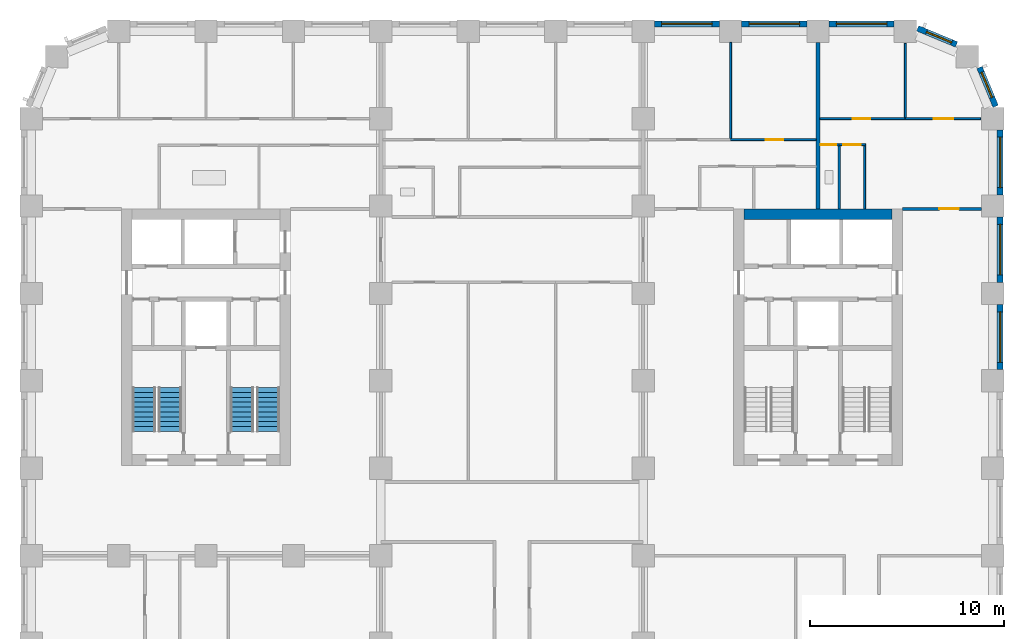
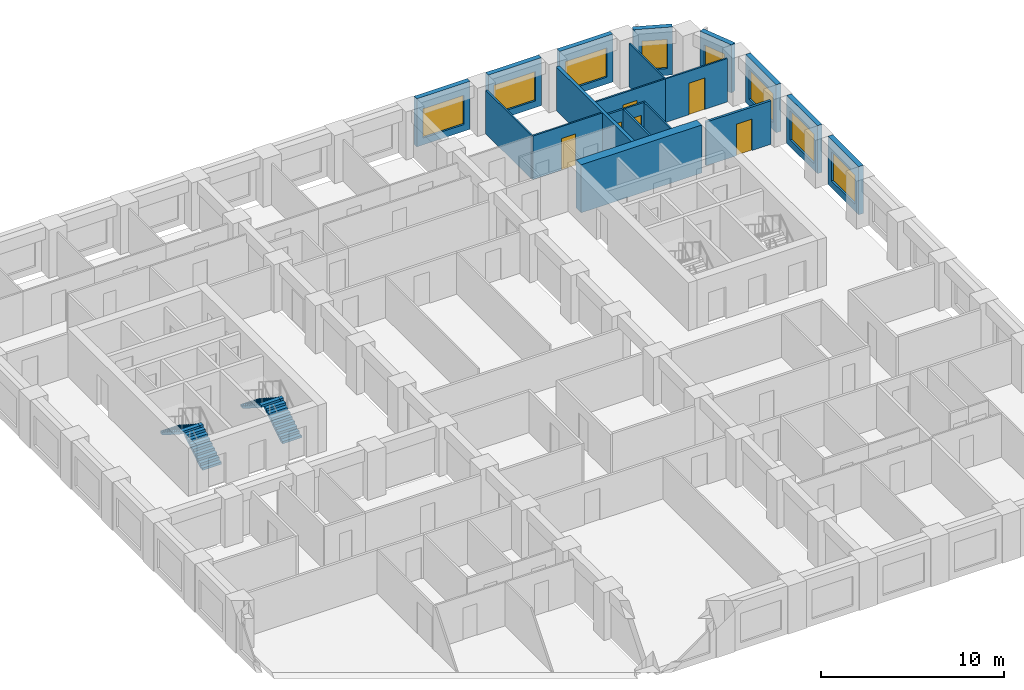
# One storey, part 9 of 13: 20 walls, 8 windows, 6 doors, 4 stair flights, 14 openings, 2 elements without a shape of their own.
"""IFC4 building model written with IfcOpenShell, lengths in metres."""

from ifc_helpers import new_model, si_unit, direction, frame, frame_2d, origin, place, context, subcontext, project, spatial, polyline, rectangle, outline, extrude, material, layer, layer_set, type_object, element, fill, aggregate, save


model = new_model("IFC4")

# Units and contexts
model_context = context("Model", 3, precision=1e-05, world=origin(), true_north=direction((0.0, 1.0)))
body_context = subcontext(model_context, "Body", "Model", "MODEL_VIEW")
ifc_project = project(units=[si_unit("LENGTHUNIT", "METRE"), si_unit("AREAUNIT", "SQUARE_METRE"), si_unit("VOLUMEUNIT", "CUBIC_METRE"), si_unit("PLANEANGLEUNIT", "RADIAN"), si_unit("MASSUNIT", "GRAM", prefix="KILO")], contexts=[model_context])

# Site, building, storey
site_placement = place(None, origin())
site = spatial("IfcSite", under=ifc_project, at=site_placement, CompositionType="ELEMENT")
building_placement = place(site_placement, origin())
building = spatial("IfcBuilding", under=site, at=building_placement, Name="Girih Gate Residences", CompositionType="ELEMENT")
storey_placement = place(building_placement, frame((0.0, 0.0, 89.60009765625)))
storey = spatial("IfcBuildingStorey", under=building, at=storey_placement, Name="L24", CompositionType="ELEMENT", Elevation=89.60009765625)

# Wall, opening, door
ifc_material_1 = material(Name="Gypsum board on steel studs", Category="steel")
ifc_layer_1 = layer(ifc_material_1, 0.14990234375)
ifc_layer_set_1 = layer_set([ifc_layer_1], Name="Compartment wall 150 mm")
wall_type_1 = type_object("IfcWallType", Name="Compartment wall 150 mm", PredefinedType="PARTITIONING", material=ifc_layer_set_1)
wall_1_placement = place(storey_placement, frame((44.85009765625, 40.35009765625, 0.0), z_axis=(0.0, 0.0, 1.0), x_axis=(1.0, 0.0, 0.0)))
wall_1 = element("IfcWall", 1, at=wall_1_placement, inside=storey, type_object=wall_type_1, Name="L24 partition", PredefinedType="PARTITIONING", context=body_context, shape_type="SweptSolid", body=[
    extrude(rectangle(XDim=4.074951171875, YDim=0.14990234375, at=frame_2d((2.03759765625, 0.0))), origin(), (0.0, 0.0, 1.0), 2.89990234375),
])
opening_1_placement = place(wall_1_placement, frame((1.89990234375, 0.0, 0.0)))
opening_1 = element("IfcOpeningElement", 2, at=opening_1_placement, cuts=wall_1, Name="Opening A24-029", PredefinedType="OPENING", context=body_context, shape_type="SweptSolid", body=[
    extrude(rectangle(XDim=1.0, YDim=2.10009765625, at=frame_2d((0.5, 1.050048828125))), frame((0.0, 0.0849609375, 0.0), z_axis=(0.0, -1.0, 0.0), x_axis=(1.0, 0.0, 0.0)), (0.0, 0.0, 1.0), 0.169921875),
])
ifc_material_2 = material(Name="Timber, fire-rated core", Category="wood")
door_type_1 = type_object("IfcDoorType", Name="Flat entrance door 1000x2100 FD30S", OperationType="NOTDEFINED", PredefinedType="DOOR", material=ifc_material_2)
door_1_placement = place(opening_1_placement, origin())
door_1 = element("IfcDoor", 3, at=door_1_placement, inside=storey, type_object=door_type_1, Name="Door A24-029", OperationType="SINGLE_SWING_RIGHT", OverallHeight=2.10009765625, OverallWidth=1.0, PredefinedType="DOOR", context=body_context, shape_type="SweptSolid", body=[
    extrude(rectangle(XDim=1.0, YDim=2.10009765625, at=frame_2d((0.5, 1.050048828125))), frame((0.0, 0.02490234375, 0.0), z_axis=(0.0, -1.0, 0.0), x_axis=(1.0, 0.0, 0.0)), (0.0, 0.0, 1.0), 0.050048828125),
])
fill(opening_1, door_1)

# Wall
ifc_material_3 = material(Name="Concrete C60/75", Category="concrete")
ifc_layer_2 = layer(ifc_material_3, 0.550048828125)
ifc_layer_set_2 = layer_set([ifc_layer_2], Name="Core wall RC 550 Concrete C60/75")
wall_type_2 = type_object("IfcWallType", Name="Core wall RC 550 Concrete C60/75", PredefinedType="SOLIDWALL", material=ifc_layer_set_2)
wall_2_placement = place(storey_placement, frame((36.699951171875, 40.074951171875, 0.0), z_axis=(0.0, 0.0, 1.0), x_axis=(1.0, 0.0, 0.0)))
element("IfcWall", 4, at=wall_2_placement, inside=storey, type_object=wall_type_2, Name="Core wall E-N L24", PredefinedType="SOLIDWALL", context=body_context, shape_type="SweptSolid", body=[
    extrude(rectangle(XDim=7.60009765625, YDim=0.550048828125, at=frame_2d((3.800048828125, 0.0))), origin(), (0.0, 0.0, 1.0), 3.199951171875),
])

# Wall, opening, door
ifc_layer_3 = layer(ifc_material_1, 0.10009765625)
ifc_layer_set_3 = layer_set([ifc_layer_3], Name="Partition 100 mm")
wall_type_3 = type_object("IfcWallType", Name="Partition 100 mm", PredefinedType="PARTITIONING", material=ifc_layer_set_3)
wall_3_placement = place(storey_placement, frame((40.60009765625, 45.0, 0.0), z_axis=(0.0, 0.0, 1.0), x_axis=(1.0, 0.0, 0.0)))
wall_3 = element("IfcWall", 5, at=wall_3_placement, inside=storey, type_object=wall_type_3, Name="L24 partition", PredefinedType="PARTITIONING", context=body_context, shape_type="SweptSolid", body=[
    extrude(rectangle(XDim=4.39990234375, YDim=0.10009765625, at=frame_2d((2.199951171875, 0.0))), origin(), (0.0, 0.0, 1.0), 2.89990234375),
])
opening_2_placement = place(wall_3_placement, frame((1.699951171875, 0.0, 0.0)))
opening_2 = element("IfcOpeningElement", 6, at=opening_2_placement, cuts=wall_3, Name="Opening A24-026", PredefinedType="OPENING", context=body_context, shape_type="SweptSolid", body=[
    extrude(rectangle(XDim=0.89990234375, YDim=2.10009765625, at=frame_2d((0.449951171875, 1.050048828125))), frame((0.0, 0.06005859375, 0.0), z_axis=(0.0, -1.0, 0.0), x_axis=(1.0, 0.0, 0.0)), (0.0, 0.0, 1.0), 0.1201171875),
])
ifc_material_4 = material(Name="Timber", Category="wood")
door_type_2 = type_object("IfcDoorType", Name="Bedroom door 900x2100", OperationType="NOTDEFINED", PredefinedType="DOOR", material=ifc_material_4)
door_2_placement = place(opening_2_placement, origin())
door_2 = element("IfcDoor", 7, at=door_2_placement, inside=storey, type_object=door_type_2, Name="Door A24-026", OperationType="SINGLE_SWING_LEFT", OverallHeight=2.10009765625, OverallWidth=0.89990234375, PredefinedType="DOOR", context=body_context, shape_type="SweptSolid", body=[
    extrude(rectangle(XDim=0.89990234375, YDim=2.10009765625, at=frame_2d((0.449951171875, 1.050048828125))), frame((0.0, 0.02490234375, 0.0), z_axis=(0.0, -1.0, 0.0), x_axis=(1.0, 0.0, 0.0)), (0.0, 0.0, 1.0), 0.050048828125),
])
fill(opening_2, door_2)

# Walls
wall_4_placement = place(storey_placement, frame((45.0, 45.050048828125, 0.0), z_axis=(0.0, 0.0, 1.0), x_axis=(0.0, 1.0, 0.0)))
element("IfcWall", 8, at=wall_4_placement, inside=storey, type_object=wall_type_3, Name="L24 partition", PredefinedType="PARTITIONING", context=body_context, shape_type="SweptSolid", body=[
    extrude(rectangle(XDim=3.82763671875, YDim=0.10009765625, at=frame_2d((1.913818359375, 0.0))), origin(), (0.0, 0.0, 1.0), 2.89990234375),
])
wall_5_placement = place(storey_placement, frame((42.89990234375, 40.35009765625, 0.0), z_axis=(0.0, 0.0, 1.0), x_axis=(0.0, 1.0, 0.0)))
element("IfcWall", 9, at=wall_5_placement, inside=storey, type_object=wall_type_3, Name="L24 partition", PredefinedType="PARTITIONING", context=body_context, shape_type="SweptSolid", body=[
    extrude(rectangle(XDim=3.260009765625, YDim=0.10009765625, at=frame_2d((1.6298828125, 0.0))), origin(), (0.0, 0.0, 1.0), 2.89990234375),
])

# Wall, opening, door
wall_6_placement = place(storey_placement, frame((42.949951171875, 43.659912109375, 0.0), z_axis=(0.0, 0.0, 1.0), x_axis=(-1.0, 0.0, 0.0)))
wall_6 = element("IfcWall", 10, at=wall_6_placement, inside=storey, type_object=wall_type_3, Name="L24 partition", PredefinedType="PARTITIONING", context=body_context, shape_type="SweptSolid", body=[
    extrude(rectangle(XDim=1.359130859375, YDim=0.10009765625, at=frame_2d((0.6796875, 0.0))), origin(), (0.0, 0.0, 1.0), 2.89990234375),
])
opening_3_placement = place(wall_6_placement, frame((0.25439453125, 0.0, 0.0)))
opening_3 = element("IfcOpeningElement", 11, at=opening_3_placement, cuts=wall_6, Name="Opening A24-027", PredefinedType="OPENING", context=body_context, shape_type="SweptSolid", body=[
    extrude(rectangle(XDim=0.89990234375, YDim=2.10009765625, at=frame_2d((0.449951171875, 1.050048828125))), frame((0.0, 0.06005859375, 0.0), z_axis=(0.0, -1.0, 0.0), x_axis=(1.0, 0.0, 0.0)), (0.0, 0.0, 1.0), 0.1201171875),
])
door_type_3 = type_object("IfcDoorType", Name="Kitchen door 900x2100", OperationType="NOTDEFINED", PredefinedType="DOOR", material=ifc_material_4)
door_3_placement = place(opening_3_placement, origin())
door_3 = element("IfcDoor", 12, at=door_3_placement, inside=storey, type_object=door_type_3, Name="Door A24-027", OperationType="SINGLE_SWING_RIGHT", OverallHeight=2.10009765625, OverallWidth=0.89990234375, PredefinedType="DOOR", context=body_context, shape_type="SweptSolid", body=[
    extrude(rectangle(XDim=0.89990234375, YDim=2.10009765625, at=frame_2d((0.449951171875, 1.050048828125))), frame((0.0, 0.02490234375, 0.0), z_axis=(0.0, -1.0, 0.0), x_axis=(1.0, 0.0, 0.0)), (0.0, 0.0, 1.0), 0.050048828125),
])
fill(opening_3, door_3)

wall_7_placement = place(storey_placement, frame((45.0, 45.0, 0.0), z_axis=(0.0, 0.0, 1.0), x_axis=(1.0, 0.0, 0.0)))
wall_7 = element("IfcWall", 13, at=wall_7_placement, inside=storey, type_object=wall_type_3, Name="L24 partition", PredefinedType="PARTITIONING", context=body_context, shape_type="SweptSolid", body=[
    extrude(rectangle(XDim=3.877685546875, YDim=0.10009765625, at=frame_2d((1.93896484375, 0.0))), origin(), (0.0, 0.0, 1.0), 2.89990234375),
])
opening_4_placement = place(wall_7_placement, frame((1.46240234375, 0.0, 0.0)))
opening_4 = element("IfcOpeningElement", 14, at=opening_4_placement, cuts=wall_7, Name="Opening A24-028", PredefinedType="OPENING", context=body_context, shape_type="SweptSolid", body=[
    extrude(rectangle(XDim=1.0, YDim=2.10009765625, at=frame_2d((0.5, 1.050048828125))), frame((0.0, 0.06005859375, 0.0), z_axis=(0.0, -1.0, 0.0), x_axis=(1.0, 0.0, 0.0)), (0.0, 0.0, 1.0), 0.1201171875),
])
door_type_4 = type_object("IfcDoorType", Name="Living room door 1000x2100", OperationType="NOTDEFINED", PredefinedType="DOOR", material=ifc_material_4)
door_4_placement = place(opening_4_placement, origin())
door_4 = element("IfcDoor", 15, at=door_4_placement, inside=storey, type_object=door_type_4, Name="Door A24-028", OperationType="SINGLE_SWING_RIGHT", OverallHeight=2.10009765625, OverallWidth=1.0, PredefinedType="DOOR", context=body_context, shape_type="SweptSolid", body=[
    extrude(rectangle(XDim=1.0, YDim=2.10009765625, at=frame_2d((0.5, 1.050048828125))), frame((0.0, 0.02490234375, 0.0), z_axis=(0.0, -1.0, 0.0), x_axis=(1.0, 0.0, 0.0)), (0.0, 0.0, 1.0), 0.050048828125),
])
fill(opening_4, door_4)

wall_8_placement = place(storey_placement, frame((36.0, 43.9150390625, 0.0), z_axis=(0.0, 0.0, 1.0), x_axis=(1.0, 0.0, 0.0)))
wall_8 = element("IfcWall", 16, at=wall_8_placement, inside=storey, type_object=wall_type_3, Name="L24 partition", PredefinedType="PARTITIONING", context=body_context, shape_type="SweptSolid", body=[
    extrude(rectangle(XDim=4.39990234375, YDim=0.10009765625, at=frame_2d((2.199951171875, 0.0))), origin(), (0.0, 0.0, 1.0), 2.89990234375),
])
opening_5_placement = place(wall_8_placement, frame((1.800048828125, 0.0, 0.0)))
opening_5 = element("IfcOpeningElement", 17, at=opening_5_placement, cuts=wall_8, Name="Opening A24-031", PredefinedType="OPENING", context=body_context, shape_type="SweptSolid", body=[
    extrude(rectangle(XDim=0.89990234375, YDim=2.10009765625, at=frame_2d((0.449951171875, 1.050048828125))), frame((0.0, 0.06005859375, 0.0), z_axis=(0.0, -1.0, 0.0), x_axis=(1.0, 0.0, 0.0)), (0.0, 0.0, 1.0), 0.1201171875),
])
door_5_placement = place(opening_5_placement, origin())
door_5 = element("IfcDoor", 18, at=door_5_placement, inside=storey, type_object=door_type_2, Name="Door A24-031", OperationType="SINGLE_SWING_RIGHT", OverallHeight=2.10009765625, OverallWidth=0.89990234375, PredefinedType="DOOR", context=body_context, shape_type="SweptSolid", body=[
    extrude(rectangle(XDim=0.89990234375, YDim=2.10009765625, at=frame_2d((0.449951171875, 1.050048828125))), frame((0.0, 0.02490234375, 0.0), z_axis=(0.0, -1.0, 0.0), x_axis=(1.0, 0.0, 0.0)), (0.0, 0.0, 1.0), 0.050048828125),
])
fill(opening_5, door_5)

# Walls
wall_9_placement = place(storey_placement, frame((36.0, 43.965087890625, 0.0), z_axis=(0.0, 0.0, 1.0), x_axis=(0.0, 1.0, 0.0)))
element("IfcWall", 19, at=wall_9_placement, inside=storey, type_object=wall_type_3, Name="L24 partition", PredefinedType="PARTITIONING", context=body_context, shape_type="SweptSolid", body=[
    extrude(rectangle(XDim=4.9599609375, YDim=0.10009765625, at=frame_2d((2.47998046875, 0.0))), origin(), (0.0, 0.0, 1.0), 2.89990234375),
])
ifc_layer_4 = layer(ifc_material_1, 0.199951171875)
ifc_layer_set_4 = layer_set([ifc_layer_4], Name="Party wall 200 mm")
wall_type_4 = type_object("IfcWallType", Name="Party wall 200 mm", PredefinedType="PARTITIONING", material=ifc_layer_set_4)
wall_10_placement = place(storey_placement, frame((40.5, 40.35009765625, 0.0), z_axis=(0.0, 0.0, 1.0), x_axis=(0.0, 1.0, 0.0)))
element("IfcWall", 20, at=wall_10_placement, inside=storey, type_object=wall_type_4, Name="L24 partition", PredefinedType="PARTITIONING", context=body_context, shape_type="SweptSolid", body=[
    extrude(rectangle(XDim=8.574951171875, YDim=0.199951171875, at=frame_2d((4.28759765625, 0.0))), origin(), (0.0, 0.0, 1.0), 2.89990234375),
])

# Wall, opening, window
ifc_material_5 = material(Name="Precast concrete C50/60", Category="concrete")
ifc_layer_5 = layer(ifc_material_5, 0.080078125, Name="Outer leaf")
ifc_material_6 = material(Name="Rigid PIR insulation")
ifc_layer_6 = layer(ifc_material_6, 0.14990234375, Name="Insulation")
ifc_material_7 = material(Name="Precast concrete C40/50", Category="concrete")
ifc_layer_7 = layer(ifc_material_7, 0.070068359375, Name="Inner leaf")
ifc_layer_set_5 = layer_set([ifc_layer_5, ifc_layer_6, ifc_layer_7], Name="Precast concrete C50/60 external wall 300")
wall_type_5 = type_object("IfcWallType", Name="Precast concrete C50/60 external wall 300", PredefinedType="SOLIDWALL", material=ifc_layer_set_5)
wall_11_placement = place(storey_placement, frame((49.875, 35.425048828125, 0.0), z_axis=(0.0, 0.0, 1.0), x_axis=(0.0, -1.0, 0.0)))
wall_11 = element("IfcWall", 21, at=wall_11_placement, inside=storey, type_object=wall_type_5, Name="External wall E0495_0045.6", PredefinedType="SOLIDWALL", context=body_context, shape_type="SweptSolid", body=[
    extrude(rectangle(XDim=3.35009765625, YDim=0.300048828125, at=frame_2d((1.675048828125, 0.0))), origin(), (0.0, 0.0, 1.0), 3.199951171875),
])
opening_6_placement = place(wall_11_placement, frame((0.375, 0.0, 0.449951171875)))
opening_6 = element("IfcOpeningElement", 22, at=opening_6_placement, cuts=wall_11, Name="Opening W-1A", PredefinedType="OPENING", context=body_context, shape_type="SweptSolid", body=[
    extrude(rectangle(XDim=2.60009765625, YDim=1.949951171875, at=frame_2d((1.300048828125, 0.97509765625))), frame((0.0, 0.159912109375, 0.0), z_axis=(0.0, -1.0, 0.0), x_axis=(1.0, 0.0, 0.0)), (0.0, 0.0, 1.0), 0.320068359375),
])
ifc_material_8 = material(Name="Double glazing in aluminium frame", Category="aluminium")
window_type_1 = type_object("IfcWindowType", Name="Window W-1A 2600x1950", PartitioningType="SINGLE_PANEL", PredefinedType="WINDOW", material=ifc_material_8)
window_1_placement = place(opening_6_placement, origin())
window_1 = element("IfcWindow", 23, at=window_1_placement, inside=storey, type_object=window_type_1, Name="Window W-1A E0495_0045.6", OverallHeight=1.949951171875, OverallWidth=2.60009765625, PartitioningType="SINGLE_PANEL", PredefinedType="WINDOW", context=body_context, shape_type="SweptSolid", body=[
    extrude(rectangle(XDim=2.60009765625, YDim=1.949951171875, at=frame_2d((1.300048828125, 0.97509765625))), frame((0.0, 0.030029296875, 0.0), z_axis=(0.0, -1.0, 0.0), x_axis=(1.0, 0.0, 0.0)), (0.0, 0.0, 1.0), 0.06005859375),
])
fill(opening_6, window_1)

wall_12_placement = place(storey_placement, frame((49.875, 39.925048828125, 0.0), z_axis=(0.0, 0.0, 1.0), x_axis=(0.0, -1.0, 0.0)))
wall_12 = element("IfcWall", 24, at=wall_12_placement, inside=storey, type_object=wall_type_5, Name="External wall E0495_0045.7", PredefinedType="SOLIDWALL", context=body_context, shape_type="SweptSolid", body=[
    extrude(rectangle(XDim=3.35009765625, YDim=0.300048828125, at=frame_2d((1.675048828125, 0.0))), origin(), (0.0, 0.0, 1.0), 3.199951171875),
])
opening_7_placement = place(wall_12_placement, frame((0.375, 0.0, 0.449951171875)))
opening_7 = element("IfcOpeningElement", 25, at=opening_7_placement, cuts=wall_12, Name="Opening W-1A", PredefinedType="OPENING", context=body_context, shape_type="SweptSolid", body=[
    extrude(rectangle(XDim=2.60009765625, YDim=1.949951171875, at=frame_2d((1.300048828125, 0.97509765625))), frame((0.0, 0.159912109375, 0.0), z_axis=(0.0, -1.0, 0.0), x_axis=(1.0, 0.0, 0.0)), (0.0, 0.0, 1.0), 0.320068359375),
])
window_2_placement = place(opening_7_placement, origin())
window_2 = element("IfcWindow", 26, at=window_2_placement, inside=storey, type_object=window_type_1, Name="Window W-1A E0495_0045.7", OverallHeight=1.949951171875, OverallWidth=2.60009765625, PartitioningType="SINGLE_PANEL", PredefinedType="WINDOW", context=body_context, shape_type="SweptSolid", body=[
    extrude(rectangle(XDim=2.60009765625, YDim=1.949951171875, at=frame_2d((1.300048828125, 0.97509765625))), frame((0.0, 0.030029296875, 0.0), z_axis=(0.0, -1.0, 0.0), x_axis=(1.0, 0.0, 0.0)), (0.0, 0.0, 1.0), 0.06005859375),
])
fill(opening_7, window_2)

wall_13_placement = place(storey_placement, frame((49.875, 44.425048828125, 0.0), z_axis=(0.0, 0.0, 1.0), x_axis=(0.0, -1.0, 0.0)))
wall_13 = element("IfcWall", 27, at=wall_13_placement, inside=storey, type_object=wall_type_5, Name="External wall E0495_0045.8", PredefinedType="SOLIDWALL", context=body_context, shape_type="SweptSolid", body=[
    extrude(rectangle(XDim=3.35009765625, YDim=0.300048828125, at=frame_2d((1.675048828125, 0.0))), origin(), (0.0, 0.0, 1.0), 3.199951171875),
])
opening_8_placement = place(wall_13_placement, frame((0.375, 0.0, 0.449951171875)))
opening_8 = element("IfcOpeningElement", 28, at=opening_8_placement, cuts=wall_13, Name="Opening W-1A", PredefinedType="OPENING", context=body_context, shape_type="SweptSolid", body=[
    extrude(rectangle(XDim=2.60009765625, YDim=1.949951171875, at=frame_2d((1.300048828125, 0.97509765625))), frame((0.0, 0.159912109375, 0.0), z_axis=(0.0, -1.0, 0.0), x_axis=(1.0, 0.0, 0.0)), (0.0, 0.0, 1.0), 0.320068359375),
])
window_3_placement = place(opening_8_placement, origin())
window_3 = element("IfcWindow", 29, at=window_3_placement, inside=storey, type_object=window_type_1, Name="Window W-1A E0495_0045.8", OverallHeight=1.949951171875, OverallWidth=2.60009765625, PartitioningType="SINGLE_PANEL", PredefinedType="WINDOW", context=body_context, shape_type="SweptSolid", body=[
    extrude(rectangle(XDim=2.60009765625, YDim=1.949951171875, at=frame_2d((1.300048828125, 0.97509765625))), frame((0.0, 0.030029296875, 0.0), z_axis=(0.0, -1.0, 0.0), x_axis=(1.0, 0.0, 0.0)), (0.0, 0.0, 1.0), 0.06005859375),
])
fill(opening_8, window_3)

wall_14_placement = place(storey_placement, frame((48.81591796875, 47.63134765625, 0.0), z_axis=(0.0, 0.0, 1.0), x_axis=(0.382723818695, -0.923862802911, 0.0)))
wall_14 = element("IfcWall", 30, at=wall_14_placement, inside=storey, type_object=wall_type_5, Name="External wall NE0495_0450.0", PredefinedType="SOLIDWALL", context=body_context, shape_type="SweptSolid", body=[
    extrude(rectangle(XDim=2.163818359375, YDim=0.300048828125, at=frame_2d((1.08203125, 0.0))), origin(), (0.0, 0.0, 1.0), 3.199951171875),
])
opening_9_placement = place(wall_14_placement, frame((0.270751953125, 0.0, 0.449951171875)))
opening_9 = element("IfcOpeningElement", 31, at=opening_9_placement, cuts=wall_14, Name="Opening W-2D", PredefinedType="OPENING", context=body_context, shape_type="SweptSolid", body=[
    extrude(rectangle(XDim=1.39990234375, YDim=1.949951171875, at=frame_2d((0.699951171875, 0.97509765625))), frame((0.0, 0.159912109375, 0.0), z_axis=(0.0, -1.0, 0.0), x_axis=(1.0, 0.0, 0.0)), (0.0, 0.0, 1.0), 0.320068359375),
])
window_type_2 = type_object("IfcWindowType", Name="Window W-2D 1400x1950", PartitioningType="SINGLE_PANEL", PredefinedType="WINDOW", material=ifc_material_8)
window_4_placement = place(opening_9_placement, origin())
window_4 = element("IfcWindow", 32, at=window_4_placement, inside=storey, type_object=window_type_2, Name="Window W-2D NE0495_0450.0", OverallHeight=1.949951171875, OverallWidth=1.39990234375, PartitioningType="SINGLE_PANEL", PredefinedType="WINDOW", context=body_context, shape_type="SweptSolid", body=[
    extrude(rectangle(XDim=1.39990234375, YDim=1.949951171875, at=frame_2d((0.699951171875, 0.97509765625))), frame((0.0, 0.030029296875, 0.0), z_axis=(0.0, -1.0, 0.0), x_axis=(1.0, 0.0, 0.0)), (0.0, 0.0, 1.0), 0.06005859375),
])
fill(opening_9, window_4)

wall_15_placement = place(storey_placement, frame((45.63232421875, 49.64404296875, 0.0), z_axis=(0.0, 0.0, 1.0), x_axis=(0.923862802911, -0.382723818695, 0.0)))
wall_15 = element("IfcWall", 33, at=wall_15_placement, inside=storey, type_object=wall_type_5, Name="External wall NE0482_0482.0", PredefinedType="SOLIDWALL", context=body_context, shape_type="SweptSolid", body=[
    extrude(rectangle(XDim=2.163818359375, YDim=0.300048828125, at=frame_2d((1.08203125, 0.0))), origin(), (0.0, 0.0, 1.0), 3.199951171875),
])
opening_10_placement = place(wall_15_placement, frame((0.492919921875, 0.0, 0.449951171875)))
opening_10 = element("IfcOpeningElement", 34, at=opening_10_placement, cuts=wall_15, Name="Opening W-2D", PredefinedType="OPENING", context=body_context, shape_type="SweptSolid", body=[
    extrude(rectangle(XDim=1.39990234375, YDim=1.949951171875, at=frame_2d((0.699951171875, 0.97509765625))), frame((0.0, 0.159912109375, 0.0), z_axis=(0.0, -1.0, 0.0), x_axis=(1.0, 0.0, 0.0)), (0.0, 0.0, 1.0), 0.320068359375),
])
window_5_placement = place(opening_10_placement, origin())
window_5 = element("IfcWindow", 35, at=window_5_placement, inside=storey, type_object=window_type_2, Name="Window W-2D NE0482_0482.0", OverallHeight=1.949951171875, OverallWidth=1.39990234375, PartitioningType="SINGLE_PANEL", PredefinedType="WINDOW", context=body_context, shape_type="SweptSolid", body=[
    extrude(rectangle(XDim=1.39990234375, YDim=1.949951171875, at=frame_2d((0.699951171875, 0.97509765625))), frame((0.0, 0.030029296875, 0.0), z_axis=(0.0, -1.0, 0.0), x_axis=(1.0, 0.0, 0.0)), (0.0, 0.0, 1.0), 0.06005859375),
])
fill(opening_10, window_5)

wall_16_placement = place(storey_placement, frame((41.074951171875, 49.875, 0.0), z_axis=(0.0, 0.0, 1.0), x_axis=(1.0, 0.0, 0.0)))
wall_16 = element("IfcWall", 36, at=wall_16_placement, inside=storey, type_object=wall_type_5, Name="External wall N0450_0495.0", PredefinedType="SOLIDWALL", context=body_context, shape_type="SweptSolid", body=[
    extrude(rectangle(XDim=3.35009765625, YDim=0.300048828125, at=frame_2d((1.675048828125, 0.0))), origin(), (0.0, 0.0, 1.0), 3.199951171875),
])
opening_11_placement = place(wall_16_placement, frame((0.375, 0.0, 0.449951171875)))
opening_11 = element("IfcOpeningElement", 37, at=opening_11_placement, cuts=wall_16, Name="Opening W-1A", PredefinedType="OPENING", context=body_context, shape_type="SweptSolid", body=[
    extrude(rectangle(XDim=2.60009765625, YDim=1.949951171875, at=frame_2d((1.300048828125, 0.97509765625))), frame((0.0, 0.159912109375, 0.0), z_axis=(0.0, -1.0, 0.0), x_axis=(1.0, 0.0, 0.0)), (0.0, 0.0, 1.0), 0.320068359375),
])
window_6_placement = place(opening_11_placement, origin())
window_6 = element("IfcWindow", 38, at=window_6_placement, inside=storey, type_object=window_type_1, Name="Window W-1A N0450_0495.0", OverallHeight=1.949951171875, OverallWidth=2.60009765625, PartitioningType="SINGLE_PANEL", PredefinedType="WINDOW", context=body_context, shape_type="SweptSolid", body=[
    extrude(rectangle(XDim=2.60009765625, YDim=1.949951171875, at=frame_2d((1.300048828125, 0.97509765625))), frame((0.0, 0.030029296875, 0.0), z_axis=(0.0, -1.0, 0.0), x_axis=(1.0, 0.0, 0.0)), (0.0, 0.0, 1.0), 0.06005859375),
])
fill(opening_11, window_6)

wall_17_placement = place(storey_placement, frame((36.574951171875, 49.875, 0.0), z_axis=(0.0, 0.0, 1.0), x_axis=(1.0, 0.0, 0.0)))
wall_17 = element("IfcWall", 39, at=wall_17_placement, inside=storey, type_object=wall_type_5, Name="External wall N0450_0495.1", PredefinedType="SOLIDWALL", context=body_context, shape_type="SweptSolid", body=[
    extrude(rectangle(XDim=3.35009765625, YDim=0.300048828125, at=frame_2d((1.675048828125, 0.0))), origin(), (0.0, 0.0, 1.0), 3.199951171875),
])
opening_12_placement = place(wall_17_placement, frame((0.375, 0.0, 0.449951171875)))
opening_12 = element("IfcOpeningElement", 40, at=opening_12_placement, cuts=wall_17, Name="Opening W-1A", PredefinedType="OPENING", context=body_context, shape_type="SweptSolid", body=[
    extrude(rectangle(XDim=2.60009765625, YDim=1.949951171875, at=frame_2d((1.300048828125, 0.97509765625))), frame((0.0, 0.159912109375, 0.0), z_axis=(0.0, -1.0, 0.0), x_axis=(1.0, 0.0, 0.0)), (0.0, 0.0, 1.0), 0.320068359375),
])
window_7_placement = place(opening_12_placement, origin())
window_7 = element("IfcWindow", 41, at=window_7_placement, inside=storey, type_object=window_type_1, Name="Window W-1A N0450_0495.1", OverallHeight=1.949951171875, OverallWidth=2.60009765625, PartitioningType="SINGLE_PANEL", PredefinedType="WINDOW", context=body_context, shape_type="SweptSolid", body=[
    extrude(rectangle(XDim=2.60009765625, YDim=1.949951171875, at=frame_2d((1.300048828125, 0.97509765625))), frame((0.0, 0.030029296875, 0.0), z_axis=(0.0, -1.0, 0.0), x_axis=(1.0, 0.0, 0.0)), (0.0, 0.0, 1.0), 0.06005859375),
])
fill(opening_12, window_7)

wall_18_placement = place(storey_placement, frame((32.074951171875, 49.875, 0.0), z_axis=(0.0, 0.0, 1.0), x_axis=(1.0, 0.0, 0.0)))
wall_18 = element("IfcWall", 42, at=wall_18_placement, inside=storey, type_object=wall_type_5, Name="External wall N0450_0495.2", PredefinedType="SOLIDWALL", context=body_context, shape_type="SweptSolid", body=[
    extrude(rectangle(XDim=3.35009765625, YDim=0.300048828125, at=frame_2d((1.675048828125, 0.0))), origin(), (0.0, 0.0, 1.0), 3.199951171875),
])
opening_13_placement = place(wall_18_placement, frame((0.375, 0.0, 0.449951171875)))
opening_13 = element("IfcOpeningElement", 43, at=opening_13_placement, cuts=wall_18, Name="Opening W-1A", PredefinedType="OPENING", context=body_context, shape_type="SweptSolid", body=[
    extrude(rectangle(XDim=2.60009765625, YDim=1.949951171875, at=frame_2d((1.300048828125, 0.97509765625))), frame((0.0, 0.159912109375, 0.0), z_axis=(0.0, -1.0, 0.0), x_axis=(1.0, 0.0, 0.0)), (0.0, 0.0, 1.0), 0.320068359375),
])
window_8_placement = place(opening_13_placement, origin())
window_8 = element("IfcWindow", 44, at=window_8_placement, inside=storey, type_object=window_type_1, Name="Window W-1A N0450_0495.2", OverallHeight=1.949951171875, OverallWidth=2.60009765625, PartitioningType="SINGLE_PANEL", PredefinedType="WINDOW", context=body_context, shape_type="SweptSolid", body=[
    extrude(rectangle(XDim=2.60009765625, YDim=1.949951171875, at=frame_2d((1.300048828125, 0.97509765625))), frame((0.0, 0.030029296875, 0.0), z_axis=(0.0, -1.0, 0.0), x_axis=(1.0, 0.0, 0.0)), (0.0, 0.0, 1.0), 0.06005859375),
])
fill(opening_13, window_8)

# Wall, opening, door
ifc_layer_8 = layer(ifc_material_1, 0.125)
ifc_layer_set_6 = layer_set([ifc_layer_8], Name="Wet room wall 125 mm")
wall_type_6 = type_object("IfcWallType", Name="Wet room wall 125 mm", PredefinedType="PARTITIONING", material=ifc_layer_set_6)
wall_19_placement = place(storey_placement, frame((41.5908203125, 43.659912109375, 0.0), z_axis=(0.0, 0.0, 1.0), x_axis=(-1.0, 0.0, 0.0)))
wall_19 = element("IfcWall", 45, at=wall_19_placement, inside=storey, type_object=wall_type_6, Name="L24 partition", PredefinedType="PARTITIONING", context=body_context, shape_type="SweptSolid", body=[
    extrude(rectangle(XDim=0.99072265625, YDim=0.125, at=frame_2d((0.495361328125, 0.0))), origin(), (0.0, 0.0, 1.0), 2.89990234375),
])
opening_14_placement = place(wall_19_placement, frame((0.1455078125, 0.0, 0.0)))
opening_14 = element("IfcOpeningElement", 46, at=opening_14_placement, cuts=wall_19, Name="Opening A24-025", PredefinedType="OPENING", context=body_context, shape_type="SweptSolid", body=[
    extrude(rectangle(XDim=0.800048828125, YDim=2.10009765625, at=frame_2d((0.39990234375, 1.050048828125))), frame((0.0, 0.072509765625, 0.0), z_axis=(0.0, -1.0, 0.0), x_axis=(1.0, 0.0, 0.0)), (0.0, 0.0, 1.0), 0.14501953125),
])
door_type_5 = type_object("IfcDoorType", Name="Bathroom door 800x2100", OperationType="NOTDEFINED", PredefinedType="DOOR", material=ifc_material_4)
door_6_placement = place(opening_14_placement, origin())
door_6 = element("IfcDoor", 47, at=door_6_placement, inside=storey, type_object=door_type_5, Name="Door A24-025", OperationType="SINGLE_SWING_RIGHT", OverallHeight=2.10009765625, OverallWidth=0.800048828125, PredefinedType="DOOR", context=body_context, shape_type="SweptSolid", body=[
    extrude(rectangle(XDim=0.800048828125, YDim=2.10009765625, at=frame_2d((0.39990234375, 1.050048828125))), frame((0.0, 0.02490234375, 0.0), z_axis=(0.0, -1.0, 0.0), x_axis=(1.0, 0.0, 0.0)), (0.0, 0.0, 1.0), 0.050048828125),
])
fill(opening_14, door_6)

# Wall
wall_20_placement = place(storey_placement, frame((41.591064453125, 40.35009765625, 0.0), z_axis=(0.0, 0.0, 1.0), x_axis=(0.0, 1.0, 0.0)))
element("IfcWall", 48, at=wall_20_placement, inside=storey, type_object=wall_type_6, Name="L24 partition", PredefinedType="PARTITIONING", context=body_context, shape_type="SweptSolid", body=[
    extrude(rectangle(XDim=3.247314453125, YDim=0.125, at=frame_2d((1.62353515625, 0.0))), origin(), (0.0, 0.0, 1.0), 2.89990234375),
])

# Stair, stair flights
ifc_material_9 = material(Name="Concrete C40/50", Category="concrete")
stair_type = type_object("IfcStairType", Name="Exit stair", PredefinedType="HALF_TURN_STAIR", material=ifc_material_9)
stair_1_placement = place(storey_placement, origin())
stair_1 = element("IfcStair", 49, at=stair_1_placement, inside=storey, type_object=stair_type, Name="L24 Exit Stair ST-W1", PredefinedType="HALF_TURN_STAIR")
stair_flight_type = type_object("IfcStairFlightType", Name="Stair flight 1200", PredefinedType="STRAIGHT", material=ifc_material_9)
stair_flight_1_placement = place(storey_placement, frame((7.14990234375, 28.89990234375, 0.0), z_axis=(0.0, 0.0, 1.0), x_axis=(0.0, 1.0, 0.0)))
stair_flight_1 = element("IfcStairFlight", 50, at=stair_flight_1_placement, type_object=stair_flight_type, Name="ST-W1 flight 1", NumberOfRisers=10, NumberOfTreads=9, PredefinedType="STRAIGHT", RiserHeight=0.16, TreadLength=0.25, context=body_context, shape_type="SweptSolid", body=[
    extrude(outline(polyline([(0.0, 0.0), (0.0, 0.159912109375), (0.25, 0.159912109375), (0.25, 0.320068359375), (0.5, 0.320068359375), (0.5, 0.47998046875), (0.75, 0.47998046875), (0.75, 0.639892578125), (1.0, 0.639892578125), (1.0, 0.800048828125), (1.25, 0.800048828125), (1.25, 0.9599609375), (1.5, 0.9599609375), (1.5, 1.1201171875), (1.75, 1.1201171875), (1.75, 1.280029296875), (2.0, 1.280029296875), (2.0, 1.43994140625), (2.25, 1.43994140625), (2.25, 1.60009765625), (2.25, 1.29736328125), (0.222900390625, 0.0), (0.0, 0.0)])), frame((0.0, 0.60009765625, 0.0), z_axis=(0.0, -1.0, 0.0), x_axis=(1.0, 0.0, 0.0)), (0.0, 0.0, 1.0), 1.199951171875),
])
stair_flight_2_placement = place(storey_placement, frame((5.800048828125, 31.14990234375, 1.599853515625), z_axis=(0.0, 0.0, 1.0), x_axis=(0.0, -1.0, 0.0)))
stair_flight_2 = element("IfcStairFlight", 51, at=stair_flight_2_placement, type_object=stair_flight_type, Name="ST-W1 flight 2", NumberOfRisers=10, NumberOfTreads=9, PredefinedType="STRAIGHT", RiserHeight=0.16, TreadLength=0.25, context=body_context, shape_type="SweptSolid", body=[
    extrude(outline(polyline([(0.0, 0.0), (0.0, 0.159912109375), (0.25, 0.159912109375), (0.25, 0.320068359375), (0.5, 0.320068359375), (0.5, 0.47998046875), (0.75, 0.47998046875), (0.75, 0.639892578125), (1.0, 0.639892578125), (1.0, 0.800048828125), (1.25, 0.800048828125), (1.25, 0.9599609375), (1.5, 0.9599609375), (1.5, 1.1201171875), (1.75, 1.1201171875), (1.75, 1.280029296875), (2.0, 1.280029296875), (2.0, 1.43994140625), (2.25, 1.43994140625), (2.25, 1.60009765625), (2.25, 1.29736328125), (0.222900390625, 0.0), (0.0, 0.0)])), frame((0.0, 0.60009765625, 0.0), z_axis=(0.0, -1.0, 0.0), x_axis=(1.0, 0.0, 0.0)), (0.0, 0.0, 1.0), 1.199951171875),
])
aggregate(stair_1, [stair_flight_1, stair_flight_2])

stair_2_placement = place(storey_placement, origin())
stair_2 = element("IfcStair", 52, at=stair_2_placement, inside=storey, type_object=stair_type, Name="L24 Exit Stair ST-W2", PredefinedType="HALF_TURN_STAIR")
stair_flight_3_placement = place(storey_placement, frame((12.199951171875, 28.89990234375, 0.0), z_axis=(0.0, 0.0, 1.0), x_axis=(0.0, 1.0, 0.0)))
stair_flight_3 = element("IfcStairFlight", 53, at=stair_flight_3_placement, type_object=stair_flight_type, Name="ST-W2 flight 1", NumberOfRisers=10, NumberOfTreads=9, PredefinedType="STRAIGHT", RiserHeight=0.16, TreadLength=0.25, context=body_context, shape_type="SweptSolid", body=[
    extrude(outline(polyline([(0.0, 0.0), (0.0, 0.159912109375), (0.25, 0.159912109375), (0.25, 0.320068359375), (0.5, 0.320068359375), (0.5, 0.47998046875), (0.75, 0.47998046875), (0.75, 0.639892578125), (1.0, 0.639892578125), (1.0, 0.800048828125), (1.25, 0.800048828125), (1.25, 0.9599609375), (1.5, 0.9599609375), (1.5, 1.1201171875), (1.75, 1.1201171875), (1.75, 1.280029296875), (2.0, 1.280029296875), (2.0, 1.43994140625), (2.25, 1.43994140625), (2.25, 1.60009765625), (2.25, 1.29736328125), (0.222900390625, 0.0), (0.0, 0.0)])), frame((0.0, 0.60009765625, 0.0), z_axis=(0.0, -1.0, 0.0), x_axis=(1.0, 0.0, 0.0)), (0.0, 0.0, 1.0), 1.199951171875),
])
stair_flight_4_placement = place(storey_placement, frame((10.85009765625, 31.14990234375, 1.599853515625), z_axis=(0.0, 0.0, 1.0), x_axis=(0.0, -1.0, 0.0)))
stair_flight_4 = element("IfcStairFlight", 54, at=stair_flight_4_placement, type_object=stair_flight_type, Name="ST-W2 flight 2", NumberOfRisers=10, NumberOfTreads=9, PredefinedType="STRAIGHT", RiserHeight=0.16, TreadLength=0.25, context=body_context, shape_type="SweptSolid", body=[
    extrude(outline(polyline([(0.0, 0.0), (0.0, 0.159912109375), (0.25, 0.159912109375), (0.25, 0.320068359375), (0.5, 0.320068359375), (0.5, 0.47998046875), (0.75, 0.47998046875), (0.75, 0.639892578125), (1.0, 0.639892578125), (1.0, 0.800048828125), (1.25, 0.800048828125), (1.25, 0.9599609375), (1.5, 0.9599609375), (1.5, 1.1201171875), (1.75, 1.1201171875), (1.75, 1.280029296875), (2.0, 1.280029296875), (2.0, 1.43994140625), (2.25, 1.43994140625), (2.25, 1.60009765625), (2.25, 1.29736328125), (0.222900390625, 0.0), (0.0, 0.0)])), frame((0.0, 0.60009765625, 0.0), z_axis=(0.0, -1.0, 0.0), x_axis=(1.0, 0.0, 0.0)), (0.0, 0.0, 1.0), 1.199951171875),
])
aggregate(stair_2, [stair_flight_3, stair_flight_4])

save(model, "model.ifc")
